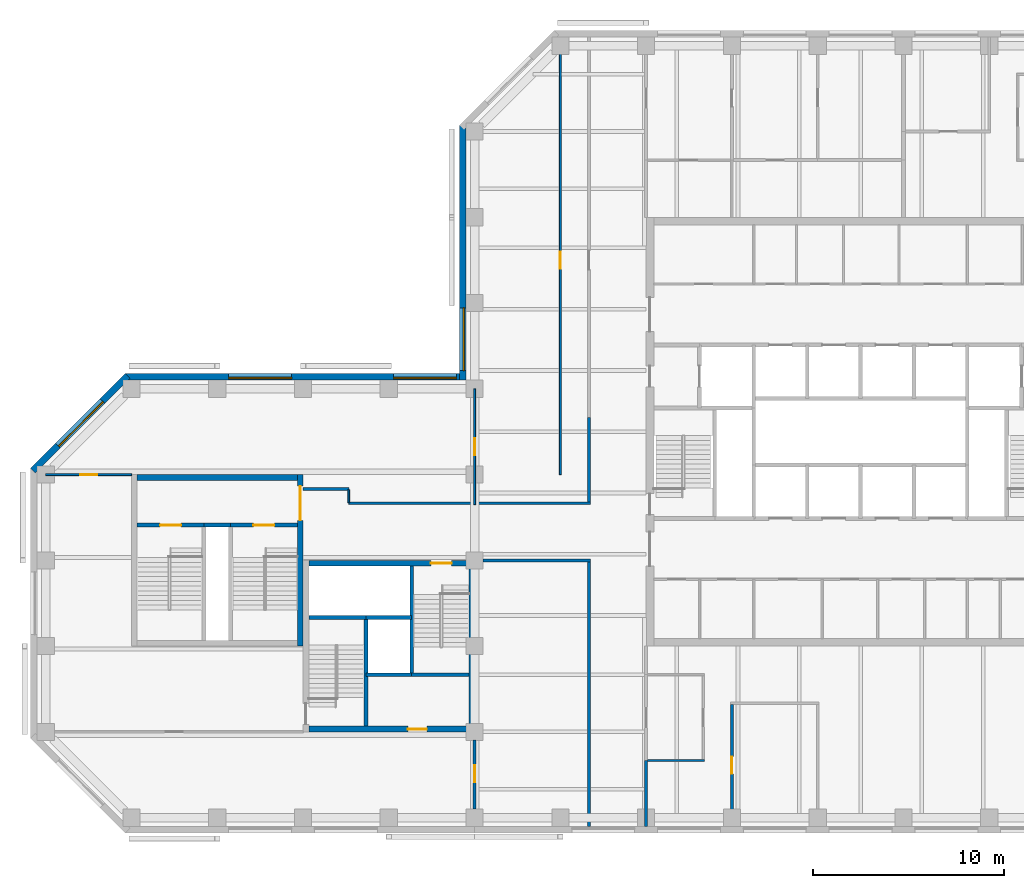
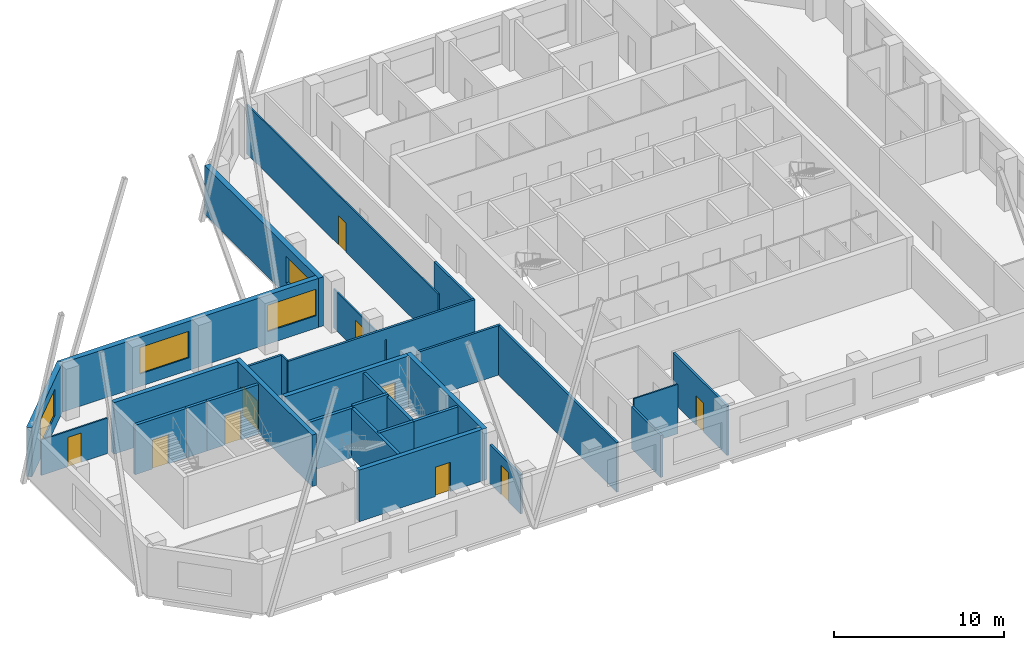
# One storey, part 3 of 9: 30 walls, 10 doors, 4 windows, 14 openings.
"""IFC4 building model written with IfcOpenShell, lengths in metres."""

from ifc_helpers import new_model, si_unit, direction, frame, frame_2d, origin, place, context, subcontext, project, spatial, rectangle, extrude, material, layer, layer_set, constituent, constituent_set, type_object, element, fill, save


model = new_model("IFC4")

# Units and contexts
model_context = context("Model", 3, precision=1e-05, world=origin(), true_north=direction((0.0, 1.0)))
body_context = subcontext(model_context, "Body", "Model", "MODEL_VIEW")
ifc_project = project(units=[si_unit("LENGTHUNIT", "METRE"), si_unit("AREAUNIT", "SQUARE_METRE"), si_unit("VOLUMEUNIT", "CUBIC_METRE"), si_unit("PLANEANGLEUNIT", "RADIAN"), si_unit("MASSUNIT", "GRAM", prefix="KILO")], contexts=[model_context])

# Site, building, storey
site_placement = place(None, origin())
site = spatial("IfcSite", under=ifc_project, at=site_placement, CompositionType="ELEMENT")
building_placement = place(site_placement, origin())
building = spatial("IfcBuilding", under=site, at=building_placement, Name="Quoin Convention Tower", CompositionType="ELEMENT")
storey_placement = place(building_placement, frame((0.0, 0.0, 158.800048828125)))
storey = spatial("IfcBuildingStorey", under=building, at=storey_placement, Name="L41", CompositionType="ELEMENT", Elevation=158.800048828125)

# Wall, opening, door
ifc_material_1 = material(Name="Plasterboard")
ifc_layer_1 = layer(ifc_material_1, 0.012451171875, Name="Finish")
ifc_material_2 = material(Name="Steel stud framing", Category="steel")
ifc_layer_2 = layer(ifc_material_2, 0.125, Name="Structure")
ifc_layer_3 = layer(ifc_material_1, 0.012451171875, Name="Finish")
ifc_layer_set_1 = layer_set([ifc_layer_1, ifc_layer_2, ifc_layer_3], Name="Steel stud framing")
wall_type_1 = type_object("IfcWallType", Name="Acoustic partition 150", PredefinedType="PARTITIONING", material=ifc_layer_set_1)
wall_1_placement = place(storey_placement, frame((49.5, 40.050048828125, 0.0), z_axis=(0.0, 0.0, 1.0), x_axis=(0.0, 1.0, 0.0)))
wall_1 = element("IfcWall", 1, at=wall_1_placement, inside=storey, type_object=wall_type_1, Name="pw-L41-032", PredefinedType="PARTITIONING", context=body_context, shape_type="SweptSolid", body=[
    extrude(rectangle(XDim=6.375, YDim=0.14990234375, at=frame_2d((3.1875, 0.0))), origin(), (0.0, 0.0, 1.0), 3.550048828125),
])
opening_1_placement = place(wall_1_placement, frame((2.75, 0.0, 0.0)))
opening_1 = element("IfcOpeningElement", 2, at=opening_1_placement, cuts=wall_1, Name="Opening DOH2-06", PredefinedType="OPENING", context=body_context, shape_type="SweptSolid", body=[
    extrude(rectangle(XDim=0.89990234375, YDim=2.10009765625, at=frame_2d((0.449951171875, 1.050048828125))), frame((0.0, 0.0849609375, 0.0), z_axis=(0.0, -1.0, 0.0), x_axis=(1.0, 0.0, 0.0)), (0.0, 0.0, 1.0), 0.169921875),
])
ifc_material_3 = material(Name="Steel door leaf", Category="steel")
door_type_1 = type_object("IfcDoorType", Name="Office door 900 x 2100", OperationType="SINGLE_SWING_RIGHT", PredefinedType="DOOR", material=ifc_material_3)
door_1_placement = place(opening_1_placement, origin())
door_1 = element("IfcDoor", 3, at=door_1_placement, inside=storey, type_object=door_type_1, Name="dr-L41-15", OperationType="SINGLE_SWING_RIGHT", OverallHeight=2.10009765625, OverallWidth=0.89990234375, PredefinedType="DOOR", context=body_context, shape_type="SweptSolid", body=[
    extrude(rectangle(XDim=0.89990234375, YDim=2.10009765625, at=frame_2d((0.449951171875, 1.050048828125))), frame((0.0, 0.02490234375, 0.0), z_axis=(0.0, -1.0, 0.0), x_axis=(1.0, 0.0, 0.0)), (0.0, 0.0, 1.0), 0.050048828125),
])
fill(opening_1, door_1)

# Wall, opening, window
ifc_material_4 = material(Name="Brick masonry", Category="masonry")
ifc_layer_4 = layer(ifc_material_4, 0.35009765625)
ifc_layer_set_2 = layer_set([ifc_layer_4], Name="Brick masonry")
wall_type_2 = type_object("IfcWallType", Name="Brick facade wall", PredefinedType="STANDARD", material=ifc_layer_set_2)
wall_2_placement = place(storey_placement, frame((35.375, 76.831298828125, 0.0), z_axis=(0.0, 0.0, 1.0), x_axis=(0.0, -1.0, 0.0)))
wall_2 = element("IfcWall", 4, at=wall_2_placement, inside=storey, type_object=wall_type_2, Name="fw-L41-36000_76500", PredefinedType="STANDARD", context=body_context, shape_type="SweptSolid", body=[
    extrude(rectangle(XDim=13.38134765625, YDim=0.35009765625, at=frame_2d((6.690673828125, 0.0))), origin(), (0.0, 0.0, 1.0), 3.52490234375),
])
opening_2_placement = place(wall_2_placement, frame((9.581298828125, 0.0, 0.89990234375)))
opening_2 = element("IfcOpeningElement", 5, at=opening_2_placement, cuts=wall_2, Name="Opening W-02", PredefinedType="OPENING", context=body_context, shape_type="SweptSolid", body=[
    extrude(rectangle(XDim=3.300048828125, YDim=1.89990234375, at=frame_2d((1.64990234375, 0.949951171875))), frame((0.0, 0.18505859375, 0.0), z_axis=(0.0, -1.0, 0.0), x_axis=(1.0, 0.0, 0.0)), (0.0, 0.0, 1.0), 0.3701171875),
])
ifc_material_5 = material(Name="Aluminium", Category="aluminium")
ifc_constituent_1 = constituent(ifc_material_5, Name="Frame")
ifc_material_6 = material(Name="Insulated glass", Category="glass")
ifc_constituent_2 = constituent(ifc_material_6, Name="Glazing")
ifc_constituent_set = constituent_set(constituents=[ifc_constituent_1, ifc_constituent_2], Name="Aluminium")
window_type = type_object("IfcWindowType", Name="Office window", PartitioningType="DOUBLE_PANEL_VERTICAL", PredefinedType="WINDOW", material=ifc_constituent_set)
window_1_placement = place(opening_2_placement, origin())
window_1 = element("IfcWindow", 6, at=window_1_placement, inside=storey, type_object=window_type, Name="win-L41-35375_65250", OverallHeight=1.89990234375, OverallWidth=3.300048828125, PartitioningType="SINGLE_PANEL", PredefinedType="WINDOW", context=body_context, shape_type="SweptSolid", body=[
    extrude(rectangle(XDim=3.300048828125, YDim=1.89990234375, at=frame_2d((1.64990234375, 0.949951171875))), frame((0.0, 0.0849609375, 0.0), z_axis=(0.0, -1.0, 0.0), x_axis=(1.0, 0.0, 0.0)), (0.0, 0.0, 1.0), 0.06005859375),
])
fill(opening_2, window_1)

# Wall, openings, windows
wall_3_placement = place(storey_placement, frame((35.550048828125, 63.625, 0.0), z_axis=(0.0, 0.0, 1.0), x_axis=(-1.0, 0.0, 0.0)))
wall_3 = element("IfcWall", 7, at=wall_3_placement, inside=storey, type_object=wall_type_2, Name="fw-L41-36000_63000", PredefinedType="STANDARD", context=body_context, shape_type="SweptSolid", body=[
    extrude(rectangle(XDim=17.88134765625, YDim=0.35009765625, at=frame_2d((8.940673828125, 0.0))), origin(), (0.0, 0.0, 1.0), 3.52490234375),
])
opening_3_placement = place(wall_3_placement, frame((0.5, 0.0, 0.89990234375)))
opening_3 = element("IfcOpeningElement", 8, at=opening_3_placement, cuts=wall_3, Name="Opening W-02", PredefinedType="OPENING", context=body_context, shape_type="SweptSolid", body=[
    extrude(rectangle(XDim=3.300048828125, YDim=1.89990234375, at=frame_2d((1.64990234375, 0.949951171875))), frame((0.0, 0.18505859375, 0.0), z_axis=(0.0, -1.0, 0.0), x_axis=(1.0, 0.0, 0.0)), (0.0, 0.0, 1.0), 0.3701171875),
])
opening_4_placement = place(wall_3_placement, frame((9.14990234375, 0.0, 0.89990234375)))
opening_4 = element("IfcOpeningElement", 9, at=opening_4_placement, cuts=wall_3, Name="Opening W-02", PredefinedType="OPENING", context=body_context, shape_type="SweptSolid", body=[
    extrude(rectangle(XDim=3.300048828125, YDim=1.89990234375, at=frame_2d((1.64990234375, 0.949951171875))), frame((0.0, 0.18505859375, 0.0), z_axis=(0.0, -1.0, 0.0), x_axis=(1.0, 0.0, 0.0)), (0.0, 0.0, 1.0), 0.3701171875),
])
window_2_placement = place(opening_3_placement, origin())
window_2 = element("IfcWindow", 10, at=window_2_placement, inside=storey, type_object=window_type, Name="win-L41-33750_63625", OverallHeight=1.89990234375, OverallWidth=3.300048828125, PartitioningType="SINGLE_PANEL", PredefinedType="WINDOW", context=body_context, shape_type="SweptSolid", body=[
    extrude(rectangle(XDim=3.300048828125, YDim=1.89990234375, at=frame_2d((1.64990234375, 0.949951171875))), frame((0.0, 0.0849609375, 0.0), z_axis=(0.0, -1.0, 0.0), x_axis=(1.0, 0.0, 0.0)), (0.0, 0.0, 1.0), 0.06005859375),
])
fill(opening_3, window_2)
window_3_placement = place(opening_4_placement, origin())
window_3 = element("IfcWindow", 11, at=window_3_placement, inside=storey, type_object=window_type, Name="win-L41-24750_63625", OverallHeight=1.89990234375, OverallWidth=3.300048828125, PartitioningType="SINGLE_PANEL", PredefinedType="WINDOW", context=body_context, shape_type="SweptSolid", body=[
    extrude(rectangle(XDim=3.300048828125, YDim=1.89990234375, at=frame_2d((1.64990234375, 0.949951171875))), frame((0.0, 0.0849609375, 0.0), z_axis=(0.0, -1.0, 0.0), x_axis=(1.0, 0.0, 0.0)), (0.0, 0.0, 1.0), 0.06005859375),
])
fill(opening_4, window_3)

# Wall, opening, window
wall_4_placement = place(storey_placement, frame((17.79248046875, 63.67626953125, 0.0), z_axis=(0.0, 0.0, 1.0), x_axis=(-0.707106781187, -0.707106781187, 0.0)))
wall_4 = element("IfcWall", 12, at=wall_4_placement, inside=storey, type_object=wall_type_2, Name="fw-L41-18000_63000", PredefinedType="STANDARD", context=body_context, shape_type="SweptSolid", body=[
    extrude(rectangle(XDim=7.02685546875, YDim=0.35009765625, at=frame_2d((3.513427734375, 0.0))), origin(), (0.0, 0.0, 1.0), 3.52490234375),
])
opening_5_placement = place(wall_4_placement, frame((1.86328125, 0.0, 0.89990234375)))
opening_5 = element("IfcOpeningElement", 13, at=opening_5_placement, cuts=wall_4, Name="Opening W-02", PredefinedType="OPENING", context=body_context, shape_type="SweptSolid", body=[
    extrude(rectangle(XDim=3.300048828125, YDim=1.89990234375, at=frame_2d((1.64990234375, 0.949951171875))), frame((0.0, 0.18505859375, 0.0), z_axis=(0.0, -1.0, 0.0), x_axis=(1.0, 0.0, 0.0)), (0.0, 0.0, 1.0), 0.3701171875),
])
window_4_placement = place(opening_5_placement, origin())
window_4 = element("IfcWindow", 14, at=window_4_placement, inside=storey, type_object=window_type, Name="win-L41-15308_61192", OverallHeight=1.89990234375, OverallWidth=3.300048828125, PartitioningType="SINGLE_PANEL", PredefinedType="WINDOW", context=body_context, shape_type="SweptSolid", body=[
    extrude(rectangle(XDim=3.300048828125, YDim=1.89990234375, at=frame_2d((1.64990234375, 0.949951171875))), frame((0.0, 0.0849609375, 0.0), z_axis=(0.0, -1.0, 0.0), x_axis=(1.0, 0.0, 0.0)), (0.0, 0.0, 1.0), 0.06005859375),
])
fill(opening_5, window_4)

# Walls
ifc_material_7 = material(Name="Concrete C50", Category="concrete")
ifc_layer_5 = layer(ifc_material_7, 0.199951171875)
ifc_layer_set_3 = layer_set([ifc_layer_5], Name="Concrete C50")
wall_type_3 = type_object("IfcWallType", Name="Core shaft wall", PredefinedType="SOLIDWALL", material=ifc_layer_set_3)
wall_5_placement = place(storey_placement, frame((30.300048828125, 48.0, 0.0), z_axis=(0.0, 0.0, 1.0), x_axis=(1.0, 0.0, 0.0)))
element("IfcWall", 15, at=wall_5_placement, inside=storey, type_object=wall_type_3, Name="cr-P2-L41-h3000_3300", PredefinedType="SOLIDWALL", context=body_context, shape_type="SweptSolid", body=[
    extrude(rectangle(XDim=2.39990234375, YDim=0.199951171875, at=frame_2d((1.199951171875, 0.0))), origin(), (0.0, 0.0, 1.0), 3.550048828125),
])
for number, where, z_axis, x_axis, name in (
    (16, (32.699951171875, 48.0, 0.0), (0.0, 0.0, 1.0), (1.0, 0.0, 0.0), "cr-P2-L41-h3000_5700"),
    (17, (27.300048828125, 51.0, 0.0), (0.0, 0.0, 1.0), (1.0, 0.0, 0.0), "cr-P2-L41-h6000_300"),
):
    element("IfcWall", number, at=place(storey_placement, frame(where, z_axis=z_axis, x_axis=x_axis)), inside=storey, type_object=wall_type_3, Name=name, PredefinedType="SOLIDWALL", context=body_context, shape_type="SweptSolid", body=[
        extrude(rectangle(XDim=3.0, YDim=0.199951171875, at=frame_2d((1.5, 0.0))), origin(), (0.0, 0.0, 1.0), 3.550048828125),
    ])
for number, where, z_axis, x_axis, name in (
    (18, (30.300048828125, 45.300048828125, 0.0), (0.0, 0.0, 1.0), (0.0, 1.0, 0.0), "cr-P2-L41-v3300_300"),
    (19, (32.699951171875, 48.0, 0.0), (0.0, 0.0, 1.0), (0.0, 1.0, 0.0), "cr-P2-L41-v5700_3000"),
):
    element("IfcWall", number, at=place(storey_placement, frame(where, z_axis=z_axis, x_axis=x_axis)), inside=storey, type_object=wall_type_3, Name=name, PredefinedType="SOLIDWALL", context=body_context, shape_type="SweptSolid", body=[
        extrude(rectangle(XDim=5.699951171875, YDim=0.199951171875, at=frame_2d((2.85009765625, 0.0))), origin(), (0.0, 0.0, 1.0), 3.550048828125),
    ])
wall_6_placement = place(storey_placement, frame((21.800048828125, 55.85009765625, 0.0), z_axis=(0.0, 0.0, 1.0), x_axis=(1.0, 0.0, 0.0)))
element("IfcWall", 20, at=wall_6_placement, inside=storey, type_object=wall_type_3, Name="cr-P6-L41-h6350_3800", PredefinedType="SOLIDWALL", context=body_context, shape_type="SweptSolid", body=[
    extrude(rectangle(XDim=1.39990234375, YDim=0.199951171875, at=frame_2d((0.699951171875, 0.0))), origin(), (0.0, 0.0, 1.0), 3.550048828125),
])

# Wall, opening, door
wall_7_placement = place(storey_placement, frame((18.300048828125, 55.85009765625, 0.0), z_axis=(0.0, 0.0, 1.0), x_axis=(1.0, 0.0, 0.0)))
wall_7 = element("IfcWall", 21, at=wall_7_placement, inside=storey, type_object=wall_type_3, Name="cr-P6-L41-h6350_300", PredefinedType="SOLIDWALL", context=body_context, shape_type="SweptSolid", body=[
    extrude(rectangle(XDim=3.5, YDim=0.199951171875, at=frame_2d((1.75, 0.0))), origin(), (0.0, 0.0, 1.0), 3.550048828125),
])
opening_6_placement = place(wall_7_placement, frame((1.199951171875, 0.0, 0.0)))
opening_6 = element("IfcOpeningElement", 22, at=opening_6_placement, cuts=wall_7, Name="Opening SD11", PredefinedType="OPENING", context=body_context, shape_type="SweptSolid", body=[
    extrude(rectangle(XDim=1.10009765625, YDim=2.10009765625, at=frame_2d((0.550048828125, 1.050048828125))), frame((0.0, 0.10986328125, 0.0), z_axis=(0.0, -1.0, 0.0), x_axis=(1.0, 0.0, 0.0)), (0.0, 0.0, 1.0), 0.219970703125),
])
door_type_2 = type_object("IfcDoorType", Name="Stair door 1100 x 2100", OperationType="SINGLE_SWING_RIGHT", PredefinedType="DOOR", material=ifc_material_3)
door_2_placement = place(opening_6_placement, origin())
door_2 = element("IfcDoor", 23, at=door_2_placement, inside=storey, type_object=door_type_2, Name="cd-P6-L41-SA-R2-SD11", OperationType="SINGLE_SWING_RIGHT", OverallHeight=2.10009765625, OverallWidth=1.10009765625, PredefinedType="DOOR", context=body_context, shape_type="SweptSolid", body=[
    extrude(rectangle(XDim=1.10009765625, YDim=2.10009765625, at=frame_2d((0.550048828125, 1.050048828125))), frame((0.0, 0.02490234375, 0.0), z_axis=(0.0, -1.0, 0.0), x_axis=(1.0, 0.0, 0.0)), (0.0, 0.0, 1.0), 0.050048828125),
])
fill(opening_6, door_2)

wall_8_placement = place(storey_placement, frame((23.199951171875, 55.85009765625, 0.0), z_axis=(0.0, 0.0, 1.0), x_axis=(1.0, 0.0, 0.0)))
wall_8 = element("IfcWall", 24, at=wall_8_placement, inside=storey, type_object=wall_type_3, Name="cr-P6-L41-h6350_5200", PredefinedType="SOLIDWALL", context=body_context, shape_type="SweptSolid", body=[
    extrude(rectangle(XDim=3.5, YDim=0.199951171875, at=frame_2d((1.75, 0.0))), origin(), (0.0, 0.0, 1.0), 3.550048828125),
])
opening_7_placement = place(wall_8_placement, frame((1.199951171875, 0.0, 0.0)))
opening_7 = element("IfcOpeningElement", 25, at=opening_7_placement, cuts=wall_8, Name="Opening SD12", PredefinedType="OPENING", context=body_context, shape_type="SweptSolid", body=[
    extrude(rectangle(XDim=1.10009765625, YDim=2.10009765625, at=frame_2d((0.550048828125, 1.050048828125))), frame((0.0, 0.10986328125, 0.0), z_axis=(0.0, -1.0, 0.0), x_axis=(1.0, 0.0, 0.0)), (0.0, 0.0, 1.0), 0.219970703125),
])
door_3_placement = place(opening_7_placement, origin())
door_3 = element("IfcDoor", 26, at=door_3_placement, inside=storey, type_object=door_type_2, Name="cd-P6-L41-SB-R2-SD12", OperationType="SINGLE_SWING_RIGHT", OverallHeight=2.10009765625, OverallWidth=1.10009765625, PredefinedType="DOOR", context=body_context, shape_type="SweptSolid", body=[
    extrude(rectangle(XDim=1.10009765625, YDim=2.10009765625, at=frame_2d((0.550048828125, 1.050048828125))), frame((0.0, 0.02490234375, 0.0), z_axis=(0.0, -1.0, 0.0), x_axis=(1.0, 0.0, 0.0)), (0.0, 0.0, 1.0), 0.050048828125),
])
fill(opening_7, door_3)

# Walls
ifc_layer_6 = layer(ifc_material_7, 0.199951171875)
ifc_layer_set_4 = layer_set([ifc_layer_6], Name="Concrete C50")
wall_type_4 = type_object("IfcWallType", Name="Core shaft wall to the floor level over", PredefinedType="SOLIDWALL", material=ifc_layer_set_4)
wall_9_placement = place(storey_placement, frame((30.300048828125, 51.0, 0.0), z_axis=(0.0, 0.0, 1.0), x_axis=(1.0, 0.0, 0.0)))
element("IfcWall", 27, at=wall_9_placement, inside=storey, type_object=wall_type_4, Name="cr-P2-L41-h6000_3300", PredefinedType="SOLIDWALL", context=body_context, shape_type="SweptSolid", body=[
    extrude(rectangle(XDim=2.39990234375, YDim=0.199951171875, at=frame_2d((1.199951171875, 0.0))), origin(), (0.0, 0.0, 1.0), 3.699951171875),
])
ifc_layer_7 = layer(ifc_material_1, 0.012451171875, Name="Finish")
ifc_layer_8 = layer(ifc_material_2, 0.125, Name="Structure")
ifc_layer_9 = layer(ifc_material_1, 0.012451171875, Name="Finish")
ifc_layer_set_5 = layer_set([ifc_layer_7, ifc_layer_8, ifc_layer_9], Name="Steel stud framing")
wall_type_5 = type_object("IfcWallType", Name="Corridor wall 150", PredefinedType="PARTITIONING", material=ifc_layer_set_5)
wall_10_placement = place(storey_placement, frame((36.449951171875, 54.0, 0.0), z_axis=(0.0, 0.0, 1.0), x_axis=(1.0, 0.0, 0.0)))
element("IfcWall", 28, at=wall_10_placement, inside=storey, type_object=wall_type_5, Name="pw-L41-010", PredefinedType="PARTITIONING", context=body_context, shape_type="SweptSolid", body=[
    extrude(rectangle(XDim=5.625, YDim=0.14990234375, at=frame_2d((2.8125, 0.0))), origin(), (0.0, 0.0, 1.0), 3.550048828125),
])
wall_11_placement = place(storey_placement, frame((29.3798828125, 57.0, 0.0), z_axis=(0.0, 0.0, 1.0), x_axis=(1.0, 0.0, 0.0)))
element("IfcWall", 29, at=wall_11_placement, inside=storey, type_object=wall_type_5, Name="pw-L41-011", PredefinedType="PARTITIONING", context=body_context, shape_type="SweptSolid", body=[
    extrude(rectangle(XDim=12.695068359375, YDim=0.14990234375, at=frame_2d((6.34765625, 0.0))), origin(), (0.0, 0.0, 1.0), 3.550048828125),
])
wall_12_placement = place(storey_placement, frame((42.0, 40.050048828125, 0.0), z_axis=(0.0, 0.0, 1.0), x_axis=(0.0, 1.0, 0.0)))
element("IfcWall", 30, at=wall_12_placement, inside=storey, type_object=wall_type_5, Name="pw-L41-030", PredefinedType="PARTITIONING", context=body_context, shape_type="SweptSolid", body=[
    extrude(rectangle(XDim=13.875, YDim=0.14990234375, at=frame_2d((6.9375, 0.0))), origin(), (0.0, 0.0, 1.0), 3.550048828125),
])
wall_13_placement = place(storey_placement, frame((42.0, 57.074951171875, 0.0), z_axis=(0.0, 0.0, 1.0), x_axis=(0.0, 1.0, 0.0)))
element("IfcWall", 31, at=wall_13_placement, inside=storey, type_object=wall_type_5, Name="pw-L41-048", PredefinedType="PARTITIONING", context=body_context, shape_type="SweptSolid", body=[
    extrude(rectangle(XDim=4.425048828125, YDim=0.14990234375, at=frame_2d((2.21240234375, 0.0))), origin(), (0.0, 0.0, 1.0), 3.550048828125),
])
wall_14_placement = place(storey_placement, frame((27.0, 57.75, 0.0), z_axis=(0.0, 0.0, 1.0), x_axis=(1.0, 0.0, 0.0)))
element("IfcWall", 32, at=wall_14_placement, inside=storey, type_object=wall_type_5, Name="pw-L41-w05", PredefinedType="PARTITIONING", context=body_context, shape_type="SweptSolid", body=[
    extrude(rectangle(XDim=2.39990234375, YDim=0.14990234375, at=frame_2d((1.199951171875, 0.0))), origin(), (0.0, 0.0, 1.0), 3.550048828125),
])
ifc_layer_10 = layer(ifc_material_1, 0.012451171875, Name="Finish")
ifc_layer_11 = layer(ifc_material_2, 0.125, Name="Structure")
ifc_layer_12 = layer(ifc_material_1, 0.012451171875, Name="Finish")
ifc_layer_set_6 = layer_set([ifc_layer_10, ifc_layer_11, ifc_layer_12], Name="Steel stud framing")
wall_type_6 = type_object("IfcWallType", Name="Corridor wall 150 under beam 528", PredefinedType="PARTITIONING", material=ifc_layer_set_6)
wall_15_placement = place(storey_placement, frame((45.0, 40.050048828125, 0.0), z_axis=(0.0, 0.0, 1.0), x_axis=(0.0, 1.0, 0.0)))
element("IfcWall", 33, at=wall_15_placement, inside=storey, type_object=wall_type_6, Name="pw-L41-031", PredefinedType="PARTITIONING", context=body_context, shape_type="SweptSolid", body=[
    extrude(rectangle(XDim=3.449951171875, YDim=0.14990234375, at=frame_2d((1.72509765625, 0.0))), origin(), (0.0, 0.0, 1.0), 3.02197265625),
])

# Wall, opening, door
ifc_layer_13 = layer(ifc_material_1, 0.012451171875, Name="Finish")
ifc_layer_14 = layer(ifc_material_2, 0.125, Name="Structure")
ifc_layer_15 = layer(ifc_material_1, 0.012451171875, Name="Finish")
ifc_layer_set_7 = layer_set([ifc_layer_13, ifc_layer_14, ifc_layer_15], Name="Steel stud framing")
wall_type_7 = type_object("IfcWallType", Name="Corridor wall 150 under beam 750", PredefinedType="PARTITIONING", material=ifc_layer_set_7)
wall_16_placement = place(storey_placement, frame((36.0, 40.949951171875, 0.0), z_axis=(0.0, 0.0, 1.0), x_axis=(0.0, 1.0, 0.0)))
wall_16 = element("IfcWall", 34, at=wall_16_placement, inside=storey, type_object=wall_type_7, Name="pw-L41-036", PredefinedType="PARTITIONING", context=body_context, shape_type="SweptSolid", body=[
    extrude(rectangle(XDim=3.630126953125, YDim=0.14990234375, at=frame_2d((1.81494140625, 0.0))), origin(), (0.0, 0.0, 1.0), 2.800048828125),
])
opening_8_placement = place(wall_16_placement, frame((1.39990234375, 0.0, 0.0)))
opening_8 = element("IfcOpeningElement", 35, at=opening_8_placement, cuts=wall_16, Name="Opening DOH2-07", PredefinedType="OPENING", context=body_context, shape_type="SweptSolid", body=[
    extrude(rectangle(XDim=0.89990234375, YDim=2.10009765625, at=frame_2d((0.449951171875, 1.050048828125))), frame((0.0, 0.0849609375, 0.0), z_axis=(0.0, -1.0, 0.0), x_axis=(1.0, 0.0, 0.0)), (0.0, 0.0, 1.0), 0.169921875),
])
door_4_placement = place(opening_8_placement, origin())
door_4 = element("IfcDoor", 36, at=door_4_placement, inside=storey, type_object=door_type_1, Name="dr-L41-01", OperationType="SINGLE_SWING_RIGHT", OverallHeight=2.10009765625, OverallWidth=0.89990234375, PredefinedType="DOOR", context=body_context, shape_type="SweptSolid", body=[
    extrude(rectangle(XDim=0.89990234375, YDim=2.10009765625, at=frame_2d((0.449951171875, 1.050048828125))), frame((0.0, 0.02490234375, 0.0), z_axis=(0.0, -1.0, 0.0), x_axis=(1.0, 0.0, 0.0)), (0.0, 0.0, 1.0), 0.050048828125),
])
fill(opening_8, door_4)

ifc_layer_16 = layer(ifc_material_7, 0.300048828125)
ifc_layer_set_8 = layer_set([ifc_layer_16], Name="Concrete C50")
wall_type_8 = type_object("IfcWallType", Name="RC CORE WALL 300 C50", PredefinedType="SHEAR", material=ifc_layer_set_8)
wall_17_placement = place(storey_placement, frame((27.300048828125, 45.14990234375, 0.0), z_axis=(0.0, 0.0, 1.0), x_axis=(1.0, 0.0, 0.0)))
wall_17 = element("IfcWall", 37, at=wall_17_placement, inside=storey, type_object=wall_type_8, Name="cwl-P2-L41-S", PredefinedType="SHEAR", context=body_context, shape_type="SweptSolid", body=[
    extrude(rectangle(XDim=8.39990234375, YDim=0.300048828125, at=frame_2d((4.199951171875, 0.0))), origin(), (0.0, 0.0, 1.0), 3.699951171875),
])
opening_9_placement = place(wall_17_placement, frame((5.199951171875, 0.0, 0.0)))
opening_9 = element("IfcOpeningElement", 38, at=opening_9_placement, cuts=wall_17, Name="Opening DCV2-41", PredefinedType="OPENING", context=body_context, shape_type="SweptSolid", body=[
    extrude(rectangle(XDim=1.0, YDim=2.10009765625, at=frame_2d((0.5, 1.050048828125))), frame((0.0, 0.159912109375, 0.0), z_axis=(0.0, -1.0, 0.0), x_axis=(1.0, 0.0, 0.0)), (0.0, 0.0, 1.0), 0.320068359375),
])
door_type_3 = type_object("IfcDoorType", Name="Service door 1000 x 2100", OperationType="SINGLE_SWING_LEFT", PredefinedType="DOOR", material=ifc_material_3)
door_5_placement = place(opening_9_placement, frame((1.0, 0.0, 0.0), z_axis=(0.0, 0.0, 1.0), x_axis=(-1.0, 0.0, 0.0)))
door_5 = element("IfcDoor", 39, at=door_5_placement, inside=storey, type_object=door_type_3, Name="cd-P2-L41-R2-S", OperationType="SINGLE_SWING_LEFT", OverallHeight=2.10009765625, OverallWidth=1.0, PredefinedType="DOOR", context=body_context, shape_type="SweptSolid", body=[
    extrude(rectangle(XDim=1.0, YDim=2.10009765625, at=frame_2d((0.5, 1.050048828125))), frame((0.0, 0.02490234375, 0.0), z_axis=(0.0, -1.0, 0.0), x_axis=(1.0, 0.0, 0.0)), (0.0, 0.0, 1.0), 0.050048828125),
])
fill(opening_9, door_5)

wall_18_placement = place(storey_placement, frame((27.300048828125, 53.85009765625, 0.0), z_axis=(0.0, 0.0, 1.0), x_axis=(1.0, 0.0, 0.0)))
wall_18 = element("IfcWall", 40, at=wall_18_placement, inside=storey, type_object=wall_type_8, Name="cwl-P2-L41-N", PredefinedType="SHEAR", context=body_context, shape_type="SweptSolid", body=[
    extrude(rectangle(XDim=8.39990234375, YDim=0.300048828125, at=frame_2d((4.199951171875, 0.0))), origin(), (0.0, 0.0, 1.0), 3.699951171875),
])
opening_10_placement = place(wall_18_placement, frame((6.39990234375, 0.0, 0.0)))
opening_10 = element("IfcOpeningElement", 41, at=opening_10_placement, cuts=wall_18, Name="Opening SD4", PredefinedType="OPENING", context=body_context, shape_type="SweptSolid", body=[
    extrude(rectangle(XDim=1.10009765625, YDim=2.10009765625, at=frame_2d((0.550048828125, 1.050048828125))), frame((0.0, 0.159912109375, 0.0), z_axis=(0.0, -1.0, 0.0), x_axis=(1.0, 0.0, 0.0)), (0.0, 0.0, 1.0), 0.320068359375),
])
door_6_placement = place(opening_10_placement, frame((1.10009765625, 0.0, 0.0), z_axis=(0.0, 0.0, 1.0), x_axis=(-1.0, 0.0, 0.0)))
door_6 = element("IfcDoor", 42, at=door_6_placement, inside=storey, type_object=door_type_2, Name="cd-P2-L41-SB-N", OperationType="SINGLE_SWING_LEFT", OverallHeight=2.10009765625, OverallWidth=1.10009765625, PredefinedType="DOOR", context=body_context, shape_type="SweptSolid", body=[
    extrude(rectangle(XDim=1.10009765625, YDim=2.10009765625, at=frame_2d((0.550048828125, 1.050048828125))), frame((0.0, 0.02490234375, 0.0), z_axis=(0.0, -1.0, 0.0), x_axis=(1.0, 0.0, 0.0)), (0.0, 0.0, 1.0), 0.050048828125),
])
fill(opening_10, door_6)

# Walls
wall_19_placement = place(storey_placement, frame((35.85009765625, 45.0, 0.0), z_axis=(0.0, 0.0, 1.0), x_axis=(0.0, 1.0, 0.0)))
element("IfcWall", 43, at=wall_19_placement, inside=storey, type_object=wall_type_8, Name="cwl-P2-L41-E", PredefinedType="SHEAR", context=body_context, shape_type="SweptSolid", body=[
    extrude(rectangle(XDim=9.0, YDim=0.300048828125, at=frame_2d((4.5, 0.0))), origin(), (0.0, 0.0, 1.0), 3.699951171875),
])
wall_20_placement = place(storey_placement, frame((18.300048828125, 58.35009765625, 0.0), z_axis=(0.0, 0.0, 1.0), x_axis=(1.0, 0.0, 0.0)))
element("IfcWall", 44, at=wall_20_placement, inside=storey, type_object=wall_type_8, Name="cwl-P6-L41-N", PredefinedType="SHEAR", context=body_context, shape_type="SweptSolid", body=[
    extrude(rectangle(XDim=8.39990234375, YDim=0.300048828125, at=frame_2d((4.199951171875, 0.0))), origin(), (0.0, 0.0, 1.0), 3.699951171875),
])

# Wall, opening, door
wall_21_placement = place(storey_placement, frame((26.85009765625, 49.5, 0.0), z_axis=(0.0, 0.0, 1.0), x_axis=(0.0, 1.0, 0.0)))
wall_21 = element("IfcWall", 45, at=wall_21_placement, inside=storey, type_object=wall_type_8, Name="cwl-P6-L41-E", PredefinedType="SHEAR", context=body_context, shape_type="SweptSolid", body=[
    extrude(rectangle(XDim=9.0, YDim=0.300048828125, at=frame_2d((4.5, 0.0))), origin(), (0.0, 0.0, 1.0), 3.699951171875),
])
opening_11_placement = place(wall_21_placement, frame((6.60009765625, 0.0, 0.0)))
opening_11 = element("IfcOpeningElement", 46, at=opening_11_placement, cuts=wall_21, Name="Opening DCV2-44", PredefinedType="OPENING", context=body_context, shape_type="SweptSolid", body=[
    extrude(rectangle(XDim=1.800048828125, YDim=2.10009765625, at=frame_2d((0.89990234375, 1.050048828125))), frame((0.0, 0.159912109375, 0.0), z_axis=(0.0, -1.0, 0.0), x_axis=(1.0, 0.0, 0.0)), (0.0, 0.0, 1.0), 0.320068359375),
])
door_type_4 = type_object("IfcDoorType", Name="Goods lobby door 1800 x 2100", OperationType="SINGLE_SWING_LEFT", PredefinedType="DOOR", material=ifc_material_3)
door_7_placement = place(opening_11_placement, origin())
door_7 = element("IfcDoor", 47, at=door_7_placement, inside=storey, type_object=door_type_4, Name="cd-P6-L41-R2-E", OperationType="SINGLE_SWING_LEFT", OverallHeight=2.10009765625, OverallWidth=1.800048828125, PredefinedType="DOOR", context=body_context, shape_type="SweptSolid", body=[
    extrude(rectangle(XDim=1.800048828125, YDim=2.10009765625, at=frame_2d((0.89990234375, 1.050048828125))), frame((0.0, 0.02490234375, 0.0), z_axis=(0.0, -1.0, 0.0), x_axis=(1.0, 0.0, 0.0)), (0.0, 0.0, 1.0), 0.050048828125),
])
fill(opening_11, door_7)

# Wall
ifc_layer_17 = layer(ifc_material_1, 0.012451171875, Name="Finish")
ifc_layer_18 = layer(ifc_material_2, 0.074951171875, Name="Structure")
ifc_layer_19 = layer(ifc_material_1, 0.012451171875, Name="Finish")
ifc_layer_set_9 = layer_set([ifc_layer_17, ifc_layer_18, ifc_layer_19], Name="Steel stud framing")
wall_type_9 = type_object("IfcWallType", Name="Stud partition 100", PredefinedType="PARTITIONING", material=ifc_layer_set_9)
wall_22_placement = place(storey_placement, frame((45.074951171875, 43.5, 0.0), z_axis=(0.0, 0.0, 1.0), x_axis=(1.0, 0.0, 0.0)))
element("IfcWall", 48, at=wall_22_placement, inside=storey, type_object=wall_type_9, Name="pw-L41-001", PredefinedType="PARTITIONING", context=body_context, shape_type="SweptSolid", body=[
    extrude(rectangle(XDim=2.97509765625, YDim=0.10009765625, at=frame_2d((1.487548828125, 0.0))), origin(), (0.0, 0.0, 1.0), 3.550048828125),
])

# Wall, opening, door
wall_23_placement = place(storey_placement, frame((40.5, 81.0, 0.0), z_axis=(0.0, 0.0, 1.0), x_axis=(0.0, -1.0, 0.0)))
wall_23 = element("IfcWall", 49, at=wall_23_placement, inside=storey, type_object=wall_type_9, Name="pw-L41-w01", PredefinedType="PARTITIONING", context=body_context, shape_type="SweptSolid", body=[
    extrude(rectangle(XDim=22.5, YDim=0.10009765625, at=frame_2d((11.25, 0.0))), origin(), (0.0, 0.0, 1.0), 3.550048828125),
])
opening_12_placement = place(wall_23_placement, frame((10.800048828125, 0.0, 0.0)))
opening_12 = element("IfcOpeningElement", 50, at=opening_12_placement, cuts=wall_23, Name="Opening DOH2-19", PredefinedType="OPENING", context=body_context, shape_type="SweptSolid", body=[
    extrude(rectangle(XDim=0.89990234375, YDim=2.10009765625, at=frame_2d((0.449951171875, 1.050048828125))), frame((0.0, 0.06005859375, 0.0), z_axis=(0.0, -1.0, 0.0), x_axis=(1.0, 0.0, 0.0)), (0.0, 0.0, 1.0), 0.1201171875),
])
door_8_placement = place(opening_12_placement, frame((0.89990234375, 0.0, 0.0), z_axis=(0.0, 0.0, 1.0), x_axis=(-1.0, 0.0, 0.0)))
door_8 = element("IfcDoor", 51, at=door_8_placement, inside=storey, type_object=door_type_1, Name="dr-L41-w02", OperationType="SINGLE_SWING_RIGHT", OverallHeight=2.10009765625, OverallWidth=0.89990234375, PredefinedType="DOOR", context=body_context, shape_type="SweptSolid", body=[
    extrude(rectangle(XDim=0.89990234375, YDim=2.10009765625, at=frame_2d((0.449951171875, 1.050048828125))), frame((0.0, 0.02490234375, 0.0), z_axis=(0.0, -1.0, 0.0), x_axis=(1.0, 0.0, 0.0)), (0.0, 0.0, 1.0), 0.050048828125),
])
fill(opening_12, door_8)

# Wall
wall_24_placement = place(storey_placement, frame((29.39990234375, 57.715087890625, 0.0), z_axis=(0.0, 0.0, 1.0), x_axis=(0.0, -1.0, 0.0)))
element("IfcWall", 52, at=wall_24_placement, inside=storey, type_object=wall_type_9, Name="pw-L41-w06", PredefinedType="PARTITIONING", context=body_context, shape_type="SweptSolid", body=[
    extrude(rectangle(XDim=0.68017578125, YDim=0.10009765625, at=frame_2d((0.340087890625, 0.0))), origin(), (0.0, 0.0, 1.0), 3.550048828125),
])

# Wall, opening, door
ifc_layer_20 = layer(ifc_material_1, 0.012451171875, Name="Finish")
ifc_layer_21 = layer(ifc_material_2, 0.074951171875, Name="Structure")
ifc_layer_22 = layer(ifc_material_1, 0.012451171875, Name="Finish")
ifc_layer_set_10 = layer_set([ifc_layer_20, ifc_layer_21, ifc_layer_22], Name="Steel stud framing")
wall_type_10 = type_object("IfcWallType", Name="Stud partition 100 under beam 1000", PredefinedType="PARTITIONING", material=ifc_layer_set_10)
wall_25_placement = place(storey_placement, frame((13.5, 58.5, 0.0), z_axis=(0.0, 0.0, 1.0), x_axis=(1.0, 0.0, 0.0)))
wall_25 = element("IfcWall", 53, at=wall_25_placement, inside=storey, type_object=wall_type_10, Name="pw-L41-w03", PredefinedType="PARTITIONING", context=body_context, shape_type="SweptSolid", body=[
    extrude(rectangle(XDim=4.5, YDim=0.10009765625, at=frame_2d((2.25, 0.0))), origin(), (0.0, 0.0, 1.0), 2.550048828125),
])
opening_13_placement = place(wall_25_placement, frame((1.800048828125, 0.0, 0.0)))
opening_13 = element("IfcOpeningElement", 54, at=opening_13_placement, cuts=wall_25, Name="Opening DOH2-21", PredefinedType="OPENING", context=body_context, shape_type="SweptSolid", body=[
    extrude(rectangle(XDim=0.89990234375, YDim=2.10009765625, at=frame_2d((0.449951171875, 1.050048828125))), frame((0.0, 0.06005859375, 0.0), z_axis=(0.0, -1.0, 0.0), x_axis=(1.0, 0.0, 0.0)), (0.0, 0.0, 1.0), 0.1201171875),
])
door_9_placement = place(opening_13_placement, origin())
door_9 = element("IfcDoor", 55, at=door_9_placement, inside=storey, type_object=door_type_1, Name="dr-L41-w04", OperationType="SINGLE_SWING_RIGHT", OverallHeight=2.10009765625, OverallWidth=0.89990234375, PredefinedType="DOOR", context=body_context, shape_type="SweptSolid", body=[
    extrude(rectangle(XDim=0.89990234375, YDim=2.10009765625, at=frame_2d((0.449951171875, 1.050048828125))), frame((0.0, 0.02490234375, 0.0), z_axis=(0.0, -1.0, 0.0), x_axis=(1.0, 0.0, 0.0)), (0.0, 0.0, 1.0), 0.050048828125),
])
fill(opening_13, door_9)

ifc_layer_23 = layer(ifc_material_1, 0.012451171875, Name="Finish")
ifc_layer_24 = layer(ifc_material_2, 0.074951171875, Name="Structure")
ifc_layer_25 = layer(ifc_material_1, 0.012451171875, Name="Finish")
ifc_layer_set_11 = layer_set([ifc_layer_23, ifc_layer_24, ifc_layer_25], Name="Steel stud framing")
wall_type_11 = type_object("IfcWallType", Name="Stud partition 100 under beam 750", PredefinedType="PARTITIONING", material=ifc_layer_set_11)
wall_26_placement = place(storey_placement, frame((36.0, 63.0, 0.0), z_axis=(0.0, 0.0, 1.0), x_axis=(0.0, -1.0, 0.0)))
wall_26 = element("IfcWall", 56, at=wall_26_placement, inside=storey, type_object=wall_type_11, Name="pw-L41-w02", PredefinedType="PARTITIONING", context=body_context, shape_type="SweptSolid", body=[
    extrude(rectangle(XDim=6.074951171875, YDim=0.10009765625, at=frame_2d((3.03759765625, 0.0))), origin(), (0.0, 0.0, 1.0), 2.800048828125),
])
opening_14_placement = place(wall_26_placement, frame((2.587890625, 0.0, 0.0)))
opening_14 = element("IfcOpeningElement", 57, at=opening_14_placement, cuts=wall_26, Name="Opening DOH2-20", PredefinedType="OPENING", context=body_context, shape_type="SweptSolid", body=[
    extrude(rectangle(XDim=0.89990234375, YDim=2.10009765625, at=frame_2d((0.449951171875, 1.050048828125))), frame((0.0, 0.06005859375, 0.0), z_axis=(0.0, -1.0, 0.0), x_axis=(1.0, 0.0, 0.0)), (0.0, 0.0, 1.0), 0.1201171875),
])
door_10_placement = place(opening_14_placement, frame((0.89990234375, 0.0, 0.0), z_axis=(0.0, 0.0, 1.0), x_axis=(-1.0, 0.0, 0.0)))
door_10 = element("IfcDoor", 58, at=door_10_placement, inside=storey, type_object=door_type_1, Name="dr-L41-w03", OperationType="SINGLE_SWING_LEFT", OverallHeight=2.10009765625, OverallWidth=0.89990234375, PredefinedType="DOOR", context=body_context, shape_type="SweptSolid", body=[
    extrude(rectangle(XDim=0.89990234375, YDim=2.10009765625, at=frame_2d((0.449951171875, 1.050048828125))), frame((0.0, 0.02490234375, 0.0), z_axis=(0.0, -1.0, 0.0), x_axis=(1.0, 0.0, 0.0)), (0.0, 0.0, 1.0), 0.050048828125),
])
fill(opening_14, door_10)

save(model, "model.ifc")
